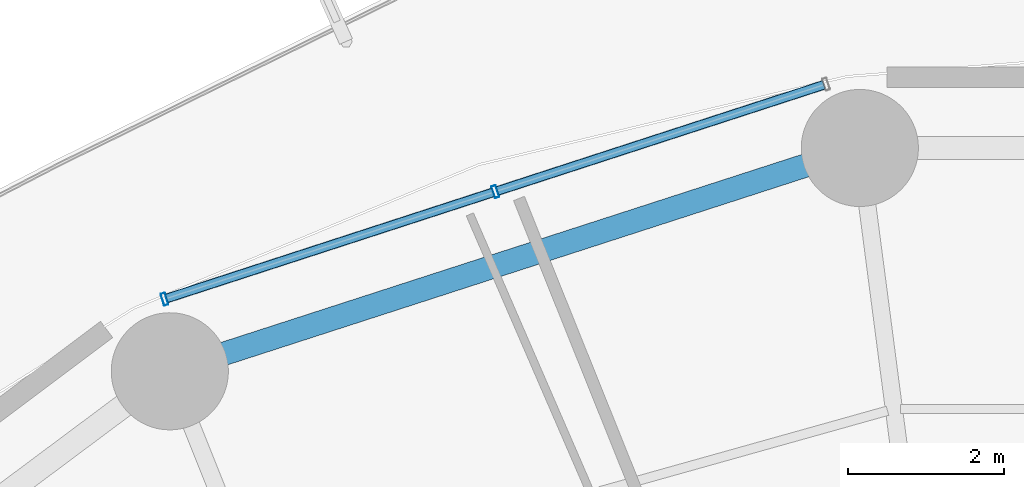
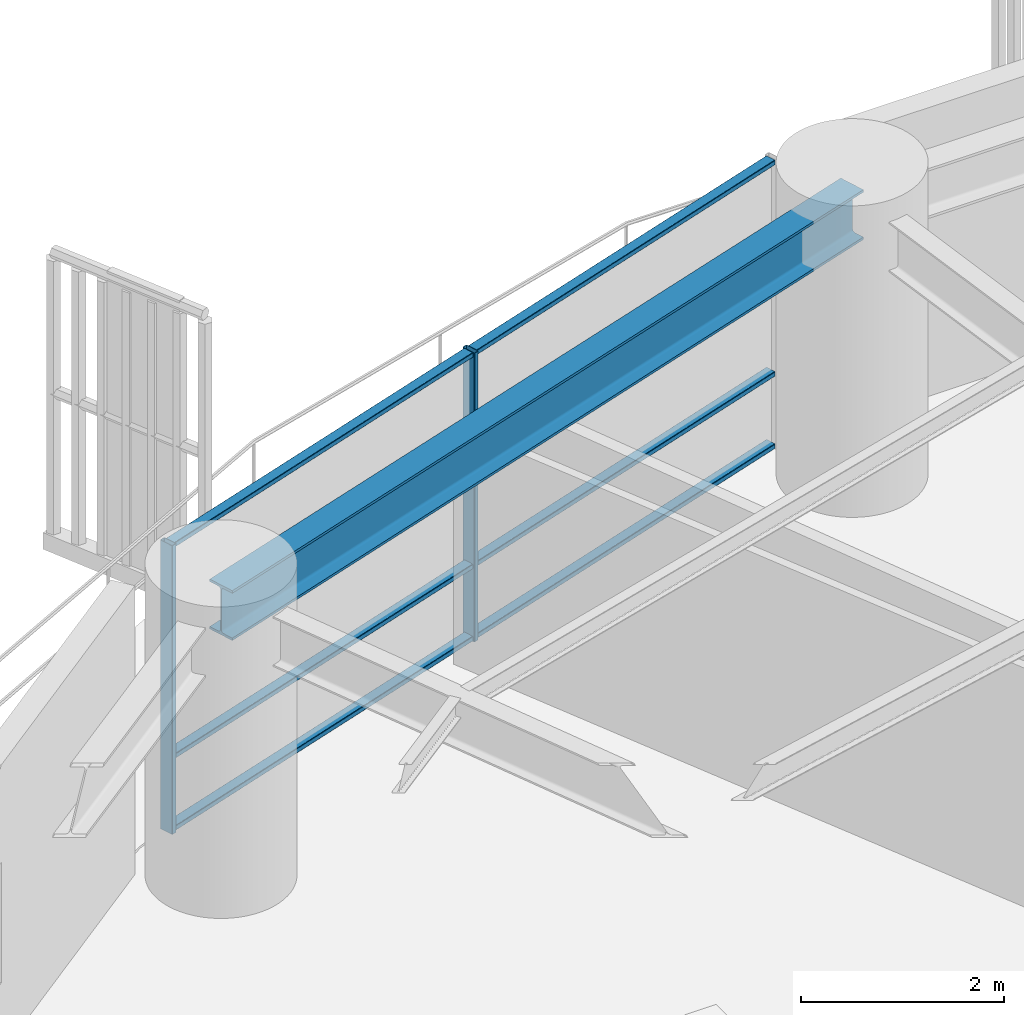
# One storey, part 17 of 33: 8 members, 1 beam, 1 element without a shape of its own.
"""IFC4 building model written with IfcOpenShell, lengths in metres."""

from ifc_helpers import new_model, si_unit, direction, frame, origin, origin_2d, place, context, subcontext, project, spatial, hollow_rectangle, i_section, extrude, material, layer, layer_set, material_profile, profile_set, type_object, element, aggregate, save


model = new_model("IFC4")

# Units and contexts
model_context = context("Model", 3, precision=1e-05, world=origin(), true_north=direction((0.0, 1.0)))
body_context = subcontext(model_context, "Body", "Model", "MODEL_VIEW")
ifc_project = project(units=[si_unit("LENGTHUNIT", "METRE"), si_unit("AREAUNIT", "SQUARE_METRE"), si_unit("VOLUMEUNIT", "CUBIC_METRE"), si_unit("PLANEANGLEUNIT", "RADIAN"), si_unit("MASSUNIT", "GRAM", prefix="KILO")], contexts=[model_context])

# Site, building, storey
site_placement = place(None, origin())
site = spatial("IfcSite", under=ifc_project, at=site_placement, CompositionType="ELEMENT")
building_placement = place(site_placement, origin())
building = spatial("IfcBuilding", under=site, at=building_placement, Name="Kelanora Arch Commons", CompositionType="ELEMENT")
storey_placement = place(building_placement, frame((0.0, 0.0, 41.25)))
storey = spatial("IfcBuildingStorey", under=building, at=storey_placement, Name="L10", CompositionType="ELEMENT", Elevation=41.25)

# Beam
ifc_material_1 = material(Name="Steel S355", Category="steel")
ifc_material_profile_1 = material_profile(ifc_material_1, i_section(OverallWidth=0.300048828125, OverallDepth=0.60009765625, WebThickness=0.015380859375, FlangeThickness=0.030029296875, FilletRadius=0.027099609375, at=origin_2d()), Name="HEB600")
ifc_profile_set_1 = profile_set([ifc_material_profile_1], Name="Steel S355")
beam_type = type_object("IfcBeamType", Name="BM-SPN-Z1", PredefinedType="SPANDREL", material=ifc_profile_set_1)
beam_placement = place(storey_placement, frame((69.297607421875, 81.714111328125, 3.18994140625), z_axis=(-0.951417120402, -0.307904957748, 0.0), x_axis=(0.307904957748, -0.951417120402, 0.0)))
element("IfcBeam", 1, at=beam_placement, inside=storey, type_object=beam_type, Name="Perimeter Spandrel Beam BS-10 L10", PredefinedType="SPANDREL", context=body_context, shape_type="SweptSolid", body=[
    extrude(i_section(OverallWidth=0.300048828125, OverallDepth=0.60009765625, WebThickness=0.015380859375, FlangeThickness=0.030029296875, FilletRadius=0.027099609375, at=origin_2d()), origin(), (0.0, 0.0, 1.0), 9.288818359375),
])

# Curtain wall, members
ifc_material_2 = material(Name="Terracotta ceramic-fritted low-E glass and aluminium", Category="masonry")
ifc_layer = layer(ifc_material_2, 0.159912109375)
ifc_layer_set = layer_set([ifc_layer], Name="Terracotta ceramic-fritted low-E glass and aluminium")
curtain_wall_type = type_object("IfcCurtainWallType", Name="CW-SYS-01", PredefinedType="NOTDEFINED", material=ifc_layer_set)
curtain_wall_placement = place(storey_placement, origin())
curtain_wall = element("IfcCurtainWall", 2, at=curtain_wall_placement, inside=storey, type_object=curtain_wall_type, Name="Unitised Curtain Wall L10-B05", PredefinedType="NOTDEFINED")
ifc_material_3 = material(Name="Powder-coated aluminium terracotta", Category="masonry")
ifc_material_profile_2 = material_profile(ifc_material_3, hollow_rectangle(XDim=0.159912109375, YDim=0.06005859375, WallThickness=0.0048828125, InnerFilletRadius=0.0048828125, OuterFilletRadius=0.010009765625, at=origin_2d()), Name="CWM160x60")
ifc_profile_set_2 = profile_set([ifc_material_profile_2], Name="Powder-coated aluminium terracotta")
member_type_1 = type_object("IfcMemberType", Name="CWM-STD", PredefinedType="MULLION", material=ifc_profile_set_2)
member_1_placement = place(storey_placement, frame((64.62890625, 81.15478515625, 0.0), z_axis=(0.0, 0.0, 1.0), x_axis=(0.30905758454, -0.951043326793, 0.0)))
member_1 = element("IfcMember", 3, at=member_1_placement, type_object=member_type_1, Name="CW-01 mullion 2", PredefinedType="MULLION", context=body_context, shape_type="SweptSolid", body=[
    extrude(hollow_rectangle(XDim=0.159912109375, YDim=0.06005859375, WallThickness=0.0048828125, InnerFilletRadius=0.0048828125, OuterFilletRadius=0.010009765625, at=origin_2d()), origin(), (0.0, 0.0, 1.0), 3.47509765625),
])
member_2_placement = place(storey_placement, frame((60.392333984375, 79.778076171875, 0.0), z_axis=(0.0, 0.0, 1.0), x_axis=(0.30905758454, -0.951043326793, 0.0)))
member_2 = element("IfcMember", 4, at=member_2_placement, type_object=member_type_1, Name="CW-01 mullion 3", PredefinedType="MULLION", context=body_context, shape_type="SweptSolid", body=[
    extrude(hollow_rectangle(XDim=0.159912109375, YDim=0.06005859375, WallThickness=0.0048828125, InnerFilletRadius=0.0048828125, OuterFilletRadius=0.010009765625, at=origin_2d()), origin(), (0.0, 0.0, 1.0), 3.47509765625),
])
ifc_material_profile_3 = material_profile(ifc_material_3, hollow_rectangle(XDim=0.1201171875, YDim=0.06005859375, WallThickness=0.0048828125, InnerFilletRadius=0.0048828125, OuterFilletRadius=0.010009765625, at=origin_2d()), Name="CWT120x60")
ifc_profile_set_3 = profile_set([ifc_material_profile_3], Name="Powder-coated aluminium terracotta")
member_type_2 = type_object("IfcMemberType", Name="CWT-STD", PredefinedType="USERDEFINED", material=ifc_profile_set_3)
member_3_placement = place(storey_placement, frame((68.8369140625, 82.5224609375, 0.030029296875), z_axis=(-0.951028761285, -0.309102402464, 0.0), x_axis=(0.309102402464, -0.951028761285, 0.0)))
member_3 = element("IfcMember", 5, at=member_3_placement, type_object=member_type_2, Name="CW-01 transom 1.1", ObjectType="TRANSOM", PredefinedType="USERDEFINED", context=body_context, shape_type="SweptSolid", body=[
    extrude(hollow_rectangle(XDim=0.1201171875, YDim=0.06005859375, WallThickness=0.0048828125, InnerFilletRadius=0.0048828125, OuterFilletRadius=0.010009765625, at=origin_2d()), origin(), (0.0, 0.0, 1.0), 4.394775390625),
])
member_4_placement = place(storey_placement, frame((68.8369140625, 82.5224609375, 0.89990234375), z_axis=(-0.951028761285, -0.309102402464, 0.0), x_axis=(0.309102402464, -0.951028761285, 0.0)))
member_4 = element("IfcMember", 6, at=member_4_placement, type_object=member_type_2, Name="CW-01 transom 1.2", ObjectType="TRANSOM", PredefinedType="USERDEFINED", context=body_context, shape_type="SweptSolid", body=[
    extrude(hollow_rectangle(XDim=0.1201171875, YDim=0.06005859375, WallThickness=0.0048828125, InnerFilletRadius=0.0048828125, OuterFilletRadius=0.010009765625, at=origin_2d()), origin(), (0.0, 0.0, 1.0), 4.394775390625),
])
member_5_placement = place(storey_placement, frame((68.8369140625, 82.5224609375, 3.445068359375), z_axis=(-0.951028761285, -0.309102402464, 0.0), x_axis=(0.309102402464, -0.951028761285, 0.0)))
member_5 = element("IfcMember", 7, at=member_5_placement, type_object=member_type_2, Name="CW-01 transom 1.3", ObjectType="TRANSOM", PredefinedType="USERDEFINED", context=body_context, shape_type="SweptSolid", body=[
    extrude(hollow_rectangle(XDim=0.1201171875, YDim=0.06005859375, WallThickness=0.0048828125, InnerFilletRadius=0.0048828125, OuterFilletRadius=0.010009765625, at=origin_2d()), origin(), (0.0, 0.0, 1.0), 4.394775390625),
])
member_6_placement = place(storey_placement, frame((64.600341796875, 81.1455078125, 0.030029296875), z_axis=(-0.951045091182, -0.309052155047, 0.0), x_axis=(0.309052155047, -0.951045091182, 0.0)))
member_6 = element("IfcMember", 8, at=member_6_placement, type_object=member_type_2, Name="CW-01 transom 2.1", ObjectType="TRANSOM", PredefinedType="USERDEFINED", context=body_context, shape_type="SweptSolid", body=[
    extrude(hollow_rectangle(XDim=0.1201171875, YDim=0.06005859375, WallThickness=0.0048828125, InnerFilletRadius=0.0048828125, OuterFilletRadius=0.010009765625, at=origin_2d()), origin(), (0.0, 0.0, 1.0), 4.39453125),
])
member_7_placement = place(storey_placement, frame((64.600341796875, 81.1455078125, 0.89990234375), z_axis=(-0.951045091182, -0.309052155047, 0.0), x_axis=(0.309052155047, -0.951045091182, 0.0)))
member_7 = element("IfcMember", 9, at=member_7_placement, type_object=member_type_2, Name="CW-01 transom 2.2", ObjectType="TRANSOM", PredefinedType="USERDEFINED", context=body_context, shape_type="SweptSolid", body=[
    extrude(hollow_rectangle(XDim=0.1201171875, YDim=0.06005859375, WallThickness=0.0048828125, InnerFilletRadius=0.0048828125, OuterFilletRadius=0.010009765625, at=origin_2d()), origin(), (0.0, 0.0, 1.0), 4.39453125),
])
member_8_placement = place(storey_placement, frame((64.600341796875, 81.1455078125, 3.445068359375), z_axis=(-0.951045091182, -0.309052155047, 0.0), x_axis=(0.309052155047, -0.951045091182, 0.0)))
member_8 = element("IfcMember", 10, at=member_8_placement, type_object=member_type_2, Name="CW-01 transom 2.3", ObjectType="TRANSOM", PredefinedType="USERDEFINED", context=body_context, shape_type="SweptSolid", body=[
    extrude(hollow_rectangle(XDim=0.1201171875, YDim=0.06005859375, WallThickness=0.0048828125, InnerFilletRadius=0.0048828125, OuterFilletRadius=0.010009765625, at=origin_2d()), origin(), (0.0, 0.0, 1.0), 4.39453125),
])
aggregate(curtain_wall, [member_1, member_2, member_3, member_4, member_5, member_6, member_7, member_8])

save(model, "model.ifc")
